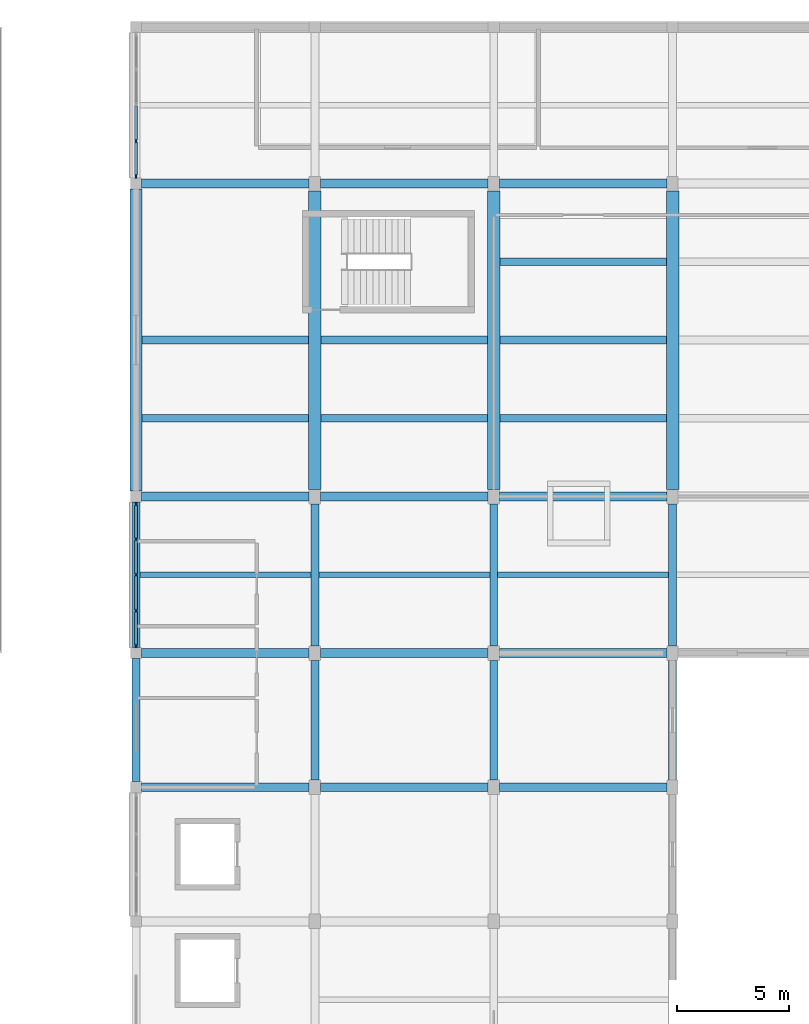
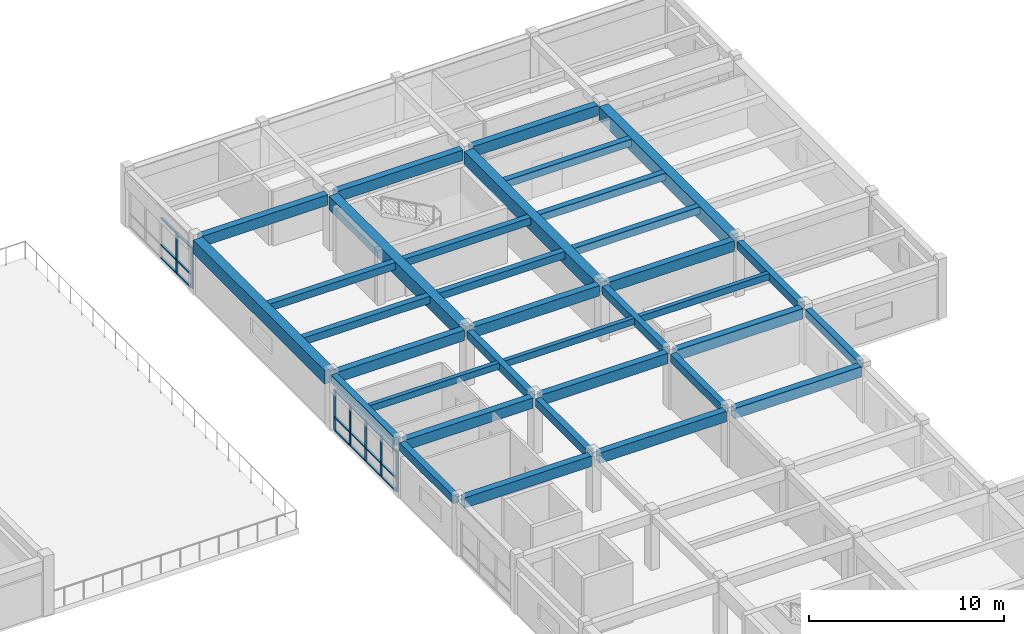
# One storey, part 5 of 22: 34 beams, 25 members, 2 elements without a shape of their own.
"""IFC4 building model written with IfcOpenShell, lengths in metres."""

from ifc_helpers import new_model, si_unit, direction, frame, origin, origin_2d, place, context, subcontext, project, spatial, rectangle, extrude, material, layer, layer_set, material_profile, profile_set, type_object, element, aggregate, save


model = new_model("IFC4")

# Units and contexts
model_context = context("Model", 3, precision=1e-05, world=origin(), true_north=direction((0.0, 1.0)))
body_context = subcontext(model_context, "Body", "Model", "MODEL_VIEW")
ifc_project = project(units=[si_unit("LENGTHUNIT", "METRE"), si_unit("AREAUNIT", "SQUARE_METRE"), si_unit("VOLUMEUNIT", "CUBIC_METRE"), si_unit("PLANEANGLEUNIT", "RADIAN"), si_unit("MASSUNIT", "GRAM", prefix="KILO")], contexts=[model_context])

# Site, building, storey
site_placement = place(None, origin())
site = spatial("IfcSite", under=ifc_project, at=site_placement, CompositionType="ELEMENT")
building_placement = place(site_placement, origin())
building = spatial("IfcBuilding", under=site, at=building_placement, Name="Naurynzar Civic Courthouse", CompositionType="ELEMENT")
storey_placement = place(building_placement, frame((0.0, 0.0, 25.800048828125)))
storey = spatial("IfcBuildingStorey", under=building, at=storey_placement, Name="L07", CompositionType="ELEMENT", Elevation=25.800048828125)

# Beams
ifc_material_1 = material(Name="Concrete C40/50", Category="concrete")
ifc_material_profile_1 = material_profile(ifc_material_1, rectangle(XDim=0.25, YDim=0.39990234375, at=origin_2d()), Name="RCB 250x400")
ifc_profile_set_1 = profile_set([ifc_material_profile_1], Name="Concrete C40/50")
beam_type_1 = type_object("IfcBeamType", Name="BM-JST-250x400", PredefinedType="JOIST", material=ifc_profile_set_1)
for number, where, z_axis, x_axis, name in (
    (1, (130.175048828125, 47.5, 3.27001953125), (1.0, 0.0, 0.0), (0.0, 1.0, 0.0), "V5 secondary rib 2887 L07"),
    (2, (138.175048828125, 47.5, 3.27001953125), (1.0, 0.0, 0.0), (0.0, 1.0, 0.0), "V5 secondary rib 2888 L07"),
    (3, (146.175048828125, 47.5, 3.27001953125), (1.0, 0.0, 0.0), (0.0, 1.0, 0.0), "V5 secondary rib 2889 L07"),
):
    element("IfcBeam", number, at=place(storey_placement, frame(where, z_axis=z_axis, x_axis=x_axis)), inside=storey, type_object=beam_type_1, Name=name, PredefinedType="JOIST", context=body_context, shape_type="SweptSolid", body=[
        extrude(rectangle(XDim=0.25, YDim=0.39990234375, at=origin_2d()), origin(), (0.0, 0.0, 1.0), 7.64990234375),
    ])
ifc_material_2 = material(Name="Concrete C40/50", Category="concrete")
ifc_material_profile_2 = material_profile(ifc_material_2, rectangle(XDim=0.550048828125, YDim=0.85009765625, at=origin_2d()), Name="PTB 550x850")
ifc_profile_set_2 = profile_set([ifc_material_profile_2], Name="Concrete C40/50")
beam_type_2 = type_object("IfcBeamType", Name="BM-PT-550x850", PredefinedType="T_BEAM", material=ifc_profile_set_2)
beam_1_placement = place(storey_placement, frame((130.0, 51.25, 3.044921875), z_axis=(0.0, 1.0, 0.0), x_axis=(-1.0, 0.0, 0.0)))
element("IfcBeam", 4, at=beam_1_placement, inside=storey, type_object=beam_type_2, Name="V5 girder Y-2856 L07", PredefinedType="T_BEAM", context=body_context, shape_type="SweptSolid", body=[
    extrude(rectangle(XDim=0.550048828125, YDim=0.85009765625, at=origin_2d()), origin(), (0.0, 0.0, 1.0), 13.5),
])
for number, where, z_axis, x_axis, name in (
    (5, (138.0, 51.324951171875, 3.044921875), (0.0, 1.0, 0.0), (-1.0, 0.0, 0.0), "V5 girder Y-2863 L07"),
    (6, (146.0, 51.324951171875, 3.044921875), (0.0, 1.0, 0.0), (-1.0, 0.0, 0.0), "V5 girder Y-2870 L07"),
    (7, (154.0, 51.324951171875, 3.044921875), (0.0, 1.0, 0.0), (-1.0, 0.0, 0.0), "V5 girder Y-2877 L07"),
):
    element("IfcBeam", number, at=place(storey_placement, frame(where, z_axis=z_axis, x_axis=x_axis)), inside=storey, type_object=beam_type_2, Name=name, PredefinedType="T_BEAM", context=body_context, shape_type="SweptSolid", body=[
        extrude(rectangle(XDim=0.550048828125, YDim=0.85009765625, at=origin_2d()), origin(), (0.0, 0.0, 1.0), 13.35009765625),
    ])
ifc_material_3 = material(Name="Concrete C40/50", Category="concrete")
ifc_material_profile_3 = material_profile(ifc_material_3, rectangle(XDim=0.35009765625, YDim=0.449951171875, at=origin_2d()), Name="RCB 350x450")
ifc_profile_set_3 = profile_set([ifc_material_profile_3], Name="Concrete C40/50")
beam_type_3 = type_object("IfcBeamType", Name="BM-RC-350x450", PredefinedType="BEAM", material=ifc_profile_set_3)
for number, where, z_axis, x_axis, name in (
    (8, (130.27490234375, 54.5, 3.244873046875), (1.0, 0.0, 0.0), (0.0, 1.0, 0.0), "V5 secondary rib 2891 L07"),
    (9, (130.27490234375, 58.0, 3.244873046875), (1.0, 0.0, 0.0), (0.0, 1.0, 0.0), "V5 secondary rib 2892 L07"),
    (10, (138.27490234375, 54.5, 3.244873046875), (1.0, 0.0, 0.0), (0.0, 1.0, 0.0), "V5 secondary rib 2893 L07"),
    (11, (138.27490234375, 58.0, 3.244873046875), (1.0, 0.0, 0.0), (0.0, 1.0, 0.0), "V5 secondary rib 2894 L07"),
    (12, (146.27490234375, 54.5, 3.244873046875), (1.0, 0.0, 0.0), (0.0, 1.0, 0.0), "V5 secondary rib 2895 L07"),
    (13, (146.27490234375, 58.0, 3.244873046875), (1.0, 0.0, 0.0), (0.0, 1.0, 0.0), "V5 secondary rib 2896 L07"),
    (14, (146.27490234375, 61.5, 3.244873046875), (1.0, 0.0, 0.0), (0.0, 1.0, 0.0), "V5 secondary rib 2897 L07"),
):
    element("IfcBeam", number, at=place(storey_placement, frame(where, z_axis=z_axis, x_axis=x_axis)), inside=storey, type_object=beam_type_3, Name=name, PredefinedType="BEAM", context=body_context, shape_type="SweptSolid", body=[
        extrude(rectangle(XDim=0.35009765625, YDim=0.449951171875, at=origin_2d()), origin(), (0.0, 0.0, 1.0), 7.4501953125),
    ])
ifc_material_4 = material(Name="Concrete C40/50", Category="concrete")
ifc_material_profile_4 = material_profile(ifc_material_4, rectangle(XDim=0.35009765625, YDim=0.5, at=origin_2d()), Name="RCB 350x500")
ifc_profile_set_4 = profile_set([ifc_material_profile_4], Name="Concrete C40/50")
beam_type_4 = type_object("IfcBeamType", Name="BM-RC-350x500", PredefinedType="BEAM", material=ifc_profile_set_4)
beam_2_placement = place(storey_placement, frame((130.0, 38.25, 3.219970703125), z_axis=(0.0, 1.0, 0.0), x_axis=(-1.0, 0.0, 0.0)))
element("IfcBeam", 15, at=beam_2_placement, inside=storey, type_object=beam_type_4, Name="V5 girder Y-2854 L07", PredefinedType="BEAM", context=body_context, shape_type="SweptSolid", body=[
    extrude(rectangle(XDim=0.35009765625, YDim=0.5, at=origin_2d()), origin(), (0.0, 0.0, 1.0), 5.5),
])
beam_3_placement = place(storey_placement, frame((130.0, 44.25, 3.219970703125), z_axis=(0.0, 1.0, 0.0), x_axis=(-1.0, 0.0, 0.0)))
element("IfcBeam", 16, at=beam_3_placement, inside=storey, type_object=beam_type_4, Name="V5 girder Y-2855 L07", PredefinedType="BEAM", context=body_context, shape_type="SweptSolid", body=[
    extrude(rectangle(XDim=0.35009765625, YDim=0.5, at=origin_2d()), origin(), (0.0, 0.0, 1.0), 6.5),
])
beam_4_placement = place(storey_placement, frame((138.0, 38.324951171875, 3.219970703125), z_axis=(0.0, 1.0, 0.0), x_axis=(-1.0, 0.0, 0.0)))
element("IfcBeam", 17, at=beam_4_placement, inside=storey, type_object=beam_type_4, Name="V5 girder Y-2861 L07", PredefinedType="BEAM", context=body_context, shape_type="SweptSolid", body=[
    extrude(rectangle(XDim=0.35009765625, YDim=0.5, at=origin_2d()), origin(), (0.0, 0.0, 1.0), 5.35009765625),
])
beam_5_placement = place(storey_placement, frame((138.0, 44.324951171875, 3.219970703125), z_axis=(0.0, 1.0, 0.0), x_axis=(-1.0, 0.0, 0.0)))
element("IfcBeam", 18, at=beam_5_placement, inside=storey, type_object=beam_type_4, Name="V5 girder Y-2862 L07", PredefinedType="BEAM", context=body_context, shape_type="SweptSolid", body=[
    extrude(rectangle(XDim=0.35009765625, YDim=0.5, at=origin_2d()), origin(), (0.0, 0.0, 1.0), 6.35009765625),
])
beam_6_placement = place(storey_placement, frame((146.0, 38.324951171875, 3.219970703125), z_axis=(0.0, 1.0, 0.0), x_axis=(-1.0, 0.0, 0.0)))
element("IfcBeam", 19, at=beam_6_placement, inside=storey, type_object=beam_type_4, Name="V5 girder Y-2868 L07", PredefinedType="BEAM", context=body_context, shape_type="SweptSolid", body=[
    extrude(rectangle(XDim=0.35009765625, YDim=0.5, at=origin_2d()), origin(), (0.0, 0.0, 1.0), 5.35009765625),
])
beam_7_placement = place(storey_placement, frame((146.0, 44.324951171875, 3.219970703125), z_axis=(0.0, 1.0, 0.0), x_axis=(-1.0, 0.0, 0.0)))
element("IfcBeam", 20, at=beam_7_placement, inside=storey, type_object=beam_type_4, Name="V5 girder Y-2869 L07", PredefinedType="BEAM", context=body_context, shape_type="SweptSolid", body=[
    extrude(rectangle(XDim=0.35009765625, YDim=0.5, at=origin_2d()), origin(), (0.0, 0.0, 1.0), 6.35009765625),
])
beam_8_placement = place(storey_placement, frame((154.0, 38.324951171875, 3.219970703125), z_axis=(0.0, 1.0, 0.0), x_axis=(-1.0, 0.0, 0.0)))
element("IfcBeam", 21, at=beam_8_placement, inside=storey, type_object=beam_type_4, Name="V5 girder Y-2875 L07", PredefinedType="BEAM", context=body_context, shape_type="SweptSolid", body=[
    extrude(rectangle(XDim=0.35009765625, YDim=0.5, at=origin_2d()), origin(), (0.0, 0.0, 1.0), 5.35009765625),
])
beam_9_placement = place(storey_placement, frame((154.0, 44.324951171875, 3.219970703125), z_axis=(0.0, 1.0, 0.0), x_axis=(-1.0, 0.0, 0.0)))
element("IfcBeam", 22, at=beam_9_placement, inside=storey, type_object=beam_type_4, Name="V5 girder Y-2876 L07", PredefinedType="BEAM", context=body_context, shape_type="SweptSolid", body=[
    extrude(rectangle(XDim=0.35009765625, YDim=0.5, at=origin_2d()), origin(), (0.0, 0.0, 1.0), 6.35009765625),
])
ifc_material_5 = material(Name="Concrete C40/50", Category="concrete")
ifc_material_profile_5 = material_profile(ifc_material_5, rectangle(XDim=0.39990234375, YDim=0.64990234375, at=origin_2d()), Name="RCB 400x650")
ifc_profile_set_5 = profile_set([ifc_material_profile_5], Name="Concrete C40/50")
beam_type_5 = type_object("IfcBeamType", Name="BM-RC-400x650", PredefinedType="BEAM", material=ifc_profile_set_5)
for number, where, z_axis, x_axis, name in (
    (23, (130.25, 38.0, 3.14501953125), (1.0, 0.0, 0.0), (0.0, 1.0, 0.0), "V5 beam X-2832 L07"),
    (24, (138.25, 38.0, 3.14501953125), (1.0, 0.0, 0.0), (0.0, 1.0, 0.0), "V5 beam X-2833 L07"),
    (25, (146.25, 38.0, 3.14501953125), (1.0, 0.0, 0.0), (0.0, 1.0, 0.0), "V5 beam X-2834 L07"),
    (26, (130.25, 44.0, 3.14501953125), (1.0, 0.0, 0.0), (0.0, 1.0, 0.0), "V5 beam X-2835 L07"),
    (27, (138.25, 44.0, 3.14501953125), (1.0, 0.0, 0.0), (0.0, 1.0, 0.0), "V5 beam X-2836 L07"),
    (28, (146.25, 44.0, 3.14501953125), (1.0, 0.0, 0.0), (0.0, 1.0, 0.0), "V5 beam X-2837 L07"),
    (29, (130.25, 51.0, 3.14501953125), (1.0, 0.0, 0.0), (0.0, 1.0, 0.0), "V5 beam X-2839 L07"),
    (30, (138.25, 51.0, 3.14501953125), (1.0, 0.0, 0.0), (0.0, 1.0, 0.0), "V5 beam X-2840 L07"),
    (31, (146.25, 51.0, 3.14501953125), (1.0, 0.0, 0.0), (0.0, 1.0, 0.0), "V5 beam X-2841 L07"),
    (32, (130.25, 65.0, 3.14501953125), (1.0, 0.0, 0.0), (0.0, 1.0, 0.0), "V5 beam X-2843 L07"),
    (33, (138.25, 65.0, 3.14501953125), (1.0, 0.0, 0.0), (0.0, 1.0, 0.0), "V5 beam X-2844 L07"),
    (34, (146.25, 65.0, 3.14501953125), (1.0, 0.0, 0.0), (0.0, 1.0, 0.0), "V5 beam X-2845 L07"),
):
    element("IfcBeam", number, at=place(storey_placement, frame(where, z_axis=z_axis, x_axis=x_axis)), inside=storey, type_object=beam_type_5, Name=name, PredefinedType="BEAM", context=body_context, shape_type="SweptSolid", body=[
        extrude(rectangle(XDim=0.39990234375, YDim=0.64990234375, at=origin_2d()), origin(), (0.0, 0.0, 1.0), 7.5),
    ])

# Curtain wall, members
ifc_material_6 = material(Name="Aluminium 6063-T6", Category="aluminium")
ifc_layer = layer(ifc_material_6, 0.159912109375)
ifc_layer_set = layer_set([ifc_layer], Name="CW-UNIT-1800")
curtain_wall_type = type_object("IfcCurtainWallType", Name="CW-UNIT-1800", PredefinedType="NOTDEFINED", material=ifc_layer_set)
curtain_wall_1_placement = place(storey_placement, origin())
curtain_wall_1 = element("IfcCurtainWall", 35, at=curtain_wall_1_placement, inside=storey, type_object=curtain_wall_type, Name="V5 unitised curtain wall 114 L07", PredefinedType="NOTDEFINED")
ifc_material_7 = material(Name="Aluminium 6063-T6", Category="aluminium")
ifc_material_profile_6 = material_profile(ifc_material_7, rectangle(XDim=0.070068359375, YDim=0.179931640625, at=origin_2d()), Name="ALU MULLION 70x180")
ifc_profile_set_6 = profile_set([ifc_material_profile_6], Name="Aluminium 6063-T6")
member_type_1 = type_object("IfcMemberType", Name="CWM-70x180", PredefinedType="MULLION", material=ifc_profile_set_6)
member_1_placement = place(storey_placement, frame((130.0, 44.3349609375, 0.0), z_axis=(0.0, 0.0, 1.0), x_axis=(-1.0, 0.0, 0.0)))
member_1 = element("IfcMember", 36, at=member_1_placement, type_object=member_type_1, Name="CW-02 mullion 1", PredefinedType="MULLION", context=body_context, shape_type="SweptSolid", body=[
    extrude(rectangle(XDim=0.070068359375, YDim=0.179931640625, at=origin_2d()), origin(), (0.0, 0.0, 1.0), 2.550048828125),
])
member_2_placement = place(storey_placement, frame((130.0, 45.89990234375, 0.0), z_axis=(0.0, 0.0, 1.0), x_axis=(-1.0, 0.0, 0.0)))
member_2 = element("IfcMember", 37, at=member_2_placement, type_object=member_type_1, Name="CW-02 mullion 2", PredefinedType="MULLION", context=body_context, shape_type="SweptSolid", body=[
    extrude(rectangle(XDim=0.070068359375, YDim=0.179931640625, at=origin_2d()), origin(), (0.0, 0.0, 1.0), 2.550048828125),
])
member_3_placement = place(storey_placement, frame((130.0, 47.5, 0.0), z_axis=(0.0, 0.0, 1.0), x_axis=(-1.0, 0.0, 0.0)))
member_3 = element("IfcMember", 38, at=member_3_placement, type_object=member_type_1, Name="CW-02 mullion 3", PredefinedType="MULLION", context=body_context, shape_type="SweptSolid", body=[
    extrude(rectangle(XDim=0.070068359375, YDim=0.179931640625, at=origin_2d()), origin(), (0.0, 0.0, 1.0), 2.550048828125),
])
member_4_placement = place(storey_placement, frame((130.0, 49.10009765625, 0.0), z_axis=(0.0, 0.0, 1.0), x_axis=(-1.0, 0.0, 0.0)))
member_4 = element("IfcMember", 39, at=member_4_placement, type_object=member_type_1, Name="CW-02 mullion 4", PredefinedType="MULLION", context=body_context, shape_type="SweptSolid", body=[
    extrude(rectangle(XDim=0.070068359375, YDim=0.179931640625, at=origin_2d()), origin(), (0.0, 0.0, 1.0), 2.550048828125),
])
member_5_placement = place(storey_placement, frame((130.0, 50.6650390625, 0.0), z_axis=(0.0, 0.0, 1.0), x_axis=(-1.0, 0.0, 0.0)))
member_5 = element("IfcMember", 40, at=member_5_placement, type_object=member_type_1, Name="CW-02 mullion 5", PredefinedType="MULLION", context=body_context, shape_type="SweptSolid", body=[
    extrude(rectangle(XDim=0.070068359375, YDim=0.179931640625, at=origin_2d()), origin(), (0.0, 0.0, 1.0), 2.550048828125),
])

curtain_wall_2_placement = place(storey_placement, origin())
curtain_wall_2 = element("IfcCurtainWall", 41, at=curtain_wall_2_placement, inside=storey, type_object=curtain_wall_type, Name="V5 unitised curtain wall 115 L07", PredefinedType="NOTDEFINED")
member_6_placement = place(storey_placement, frame((130.0, 65.3349609375, 0.0), z_axis=(0.0, 0.0, 1.0), x_axis=(-1.0, 0.0, 0.0)))
member_6 = element("IfcMember", 42, at=member_6_placement, type_object=member_type_1, Name="CW-02 mullion 1", PredefinedType="MULLION", context=body_context, shape_type="SweptSolid", body=[
    extrude(rectangle(XDim=0.070068359375, YDim=0.179931640625, at=origin_2d()), origin(), (0.0, 0.0, 1.0), 2.550048828125),
])
member_7_placement = place(storey_placement, frame((130.0, 66.89990234375, 0.0), z_axis=(0.0, 0.0, 1.0), x_axis=(-1.0, 0.0, 0.0)))
member_7 = element("IfcMember", 43, at=member_7_placement, type_object=member_type_1, Name="CW-02 mullion 2", PredefinedType="MULLION", context=body_context, shape_type="SweptSolid", body=[
    extrude(rectangle(XDim=0.070068359375, YDim=0.179931640625, at=origin_2d()), origin(), (0.0, 0.0, 1.0), 2.550048828125),
])

# Member
ifc_material_8 = material(Name="Aluminium 6063-T6", Category="aluminium")
ifc_material_profile_7 = material_profile(ifc_material_8, rectangle(XDim=0.1298828125, YDim=0.070068359375, at=origin_2d()), Name="ALU TRANSOM 70x130")
ifc_profile_set_7 = profile_set([ifc_material_profile_7], Name="Aluminium 6063-T6")
member_type_2 = type_object("IfcMemberType", Name="CWT-70x130", PredefinedType="USERDEFINED", material=ifc_profile_set_7)
member_8_placement = place(storey_placement, frame((130.0, 44.3701171875, 0.034912109375), z_axis=(0.0, 1.0, 0.0), x_axis=(-1.0, 0.0, 0.0)))
member_8 = element("IfcMember", 44, at=member_8_placement, type_object=member_type_2, Name="CW-02 transom 1.1", ObjectType="TRANSOM", PredefinedType="USERDEFINED", context=body_context, shape_type="SweptSolid", body=[
    extrude(rectangle(XDim=0.1298828125, YDim=0.070068359375, at=origin_2d()), origin(), (0.0, 0.0, 1.0), 1.494873046875),
])

member_9_placement = place(storey_placement, frame((130.0, 44.3701171875, 0.849853515625), z_axis=(0.0, 1.0, 0.0), x_axis=(-1.0, 0.0, 0.0)))
member_9 = element("IfcMember", 45, at=member_9_placement, type_object=member_type_2, Name="CW-02 transom 1.2", ObjectType="TRANSOM", PredefinedType="USERDEFINED", context=body_context, shape_type="SweptSolid", body=[
    extrude(rectangle(XDim=0.1298828125, YDim=0.070068359375, at=origin_2d()), origin(), (0.0, 0.0, 1.0), 1.494873046875),
])

member_10_placement = place(storey_placement, frame((130.0, 44.3701171875, 2.514892578125), z_axis=(0.0, 1.0, 0.0), x_axis=(-1.0, 0.0, 0.0)))
member_10 = element("IfcMember", 46, at=member_10_placement, type_object=member_type_2, Name="CW-02 transom 1.3", ObjectType="TRANSOM", PredefinedType="USERDEFINED", context=body_context, shape_type="SweptSolid", body=[
    extrude(rectangle(XDim=0.1298828125, YDim=0.070068359375, at=origin_2d()), origin(), (0.0, 0.0, 1.0), 1.494873046875),
])

member_11_placement = place(storey_placement, frame((130.0, 45.93505859375, 0.034912109375), z_axis=(0.0, 1.0, 0.0), x_axis=(-1.0, 0.0, 0.0)))
member_11 = element("IfcMember", 47, at=member_11_placement, type_object=member_type_2, Name="CW-02 transom 2.1", ObjectType="TRANSOM", PredefinedType="USERDEFINED", context=body_context, shape_type="SweptSolid", body=[
    extrude(rectangle(XDim=0.1298828125, YDim=0.070068359375, at=origin_2d()), origin(), (0.0, 0.0, 1.0), 1.530029296875),
])

member_12_placement = place(storey_placement, frame((130.0, 45.93505859375, 0.849853515625), z_axis=(0.0, 1.0, 0.0), x_axis=(-1.0, 0.0, 0.0)))
member_12 = element("IfcMember", 48, at=member_12_placement, type_object=member_type_2, Name="CW-02 transom 2.2", ObjectType="TRANSOM", PredefinedType="USERDEFINED", context=body_context, shape_type="SweptSolid", body=[
    extrude(rectangle(XDim=0.1298828125, YDim=0.070068359375, at=origin_2d()), origin(), (0.0, 0.0, 1.0), 1.530029296875),
])

member_13_placement = place(storey_placement, frame((130.0, 45.93505859375, 2.514892578125), z_axis=(0.0, 1.0, 0.0), x_axis=(-1.0, 0.0, 0.0)))
member_13 = element("IfcMember", 49, at=member_13_placement, type_object=member_type_2, Name="CW-02 transom 2.3", ObjectType="TRANSOM", PredefinedType="USERDEFINED", context=body_context, shape_type="SweptSolid", body=[
    extrude(rectangle(XDim=0.1298828125, YDim=0.070068359375, at=origin_2d()), origin(), (0.0, 0.0, 1.0), 1.530029296875),
])

member_14_placement = place(storey_placement, frame((130.0, 47.534912109375, 0.034912109375), z_axis=(0.0, 1.0, 0.0), x_axis=(-1.0, 0.0, 0.0)))
member_14 = element("IfcMember", 50, at=member_14_placement, type_object=member_type_2, Name="CW-02 transom 3.1", ObjectType="TRANSOM", PredefinedType="USERDEFINED", context=body_context, shape_type="SweptSolid", body=[
    extrude(rectangle(XDim=0.1298828125, YDim=0.070068359375, at=origin_2d()), origin(), (0.0, 0.0, 1.0), 1.530029296875),
])

member_15_placement = place(storey_placement, frame((130.0, 47.534912109375, 0.849853515625), z_axis=(0.0, 1.0, 0.0), x_axis=(-1.0, 0.0, 0.0)))
member_15 = element("IfcMember", 51, at=member_15_placement, type_object=member_type_2, Name="CW-02 transom 3.2", ObjectType="TRANSOM", PredefinedType="USERDEFINED", context=body_context, shape_type="SweptSolid", body=[
    extrude(rectangle(XDim=0.1298828125, YDim=0.070068359375, at=origin_2d()), origin(), (0.0, 0.0, 1.0), 1.530029296875),
])

member_16_placement = place(storey_placement, frame((130.0, 47.534912109375, 2.514892578125), z_axis=(0.0, 1.0, 0.0), x_axis=(-1.0, 0.0, 0.0)))
member_16 = element("IfcMember", 52, at=member_16_placement, type_object=member_type_2, Name="CW-02 transom 3.3", ObjectType="TRANSOM", PredefinedType="USERDEFINED", context=body_context, shape_type="SweptSolid", body=[
    extrude(rectangle(XDim=0.1298828125, YDim=0.070068359375, at=origin_2d()), origin(), (0.0, 0.0, 1.0), 1.530029296875),
])

member_17_placement = place(storey_placement, frame((130.0, 49.135009765625, 0.034912109375), z_axis=(0.0, 1.0, 0.0), x_axis=(-1.0, 0.0, 0.0)))
member_17 = element("IfcMember", 53, at=member_17_placement, type_object=member_type_2, Name="CW-02 transom 4.1", ObjectType="TRANSOM", PredefinedType="USERDEFINED", context=body_context, shape_type="SweptSolid", body=[
    extrude(rectangle(XDim=0.1298828125, YDim=0.070068359375, at=origin_2d()), origin(), (0.0, 0.0, 1.0), 1.494873046875),
])

member_18_placement = place(storey_placement, frame((130.0, 49.135009765625, 0.849853515625), z_axis=(0.0, 1.0, 0.0), x_axis=(-1.0, 0.0, 0.0)))
member_18 = element("IfcMember", 54, at=member_18_placement, type_object=member_type_2, Name="CW-02 transom 4.2", ObjectType="TRANSOM", PredefinedType="USERDEFINED", context=body_context, shape_type="SweptSolid", body=[
    extrude(rectangle(XDim=0.1298828125, YDim=0.070068359375, at=origin_2d()), origin(), (0.0, 0.0, 1.0), 1.494873046875),
])

member_19_placement = place(storey_placement, frame((130.0, 49.135009765625, 2.514892578125), z_axis=(0.0, 1.0, 0.0), x_axis=(-1.0, 0.0, 0.0)))
member_19 = element("IfcMember", 55, at=member_19_placement, type_object=member_type_2, Name="CW-02 transom 4.3", ObjectType="TRANSOM", PredefinedType="USERDEFINED", context=body_context, shape_type="SweptSolid", body=[
    extrude(rectangle(XDim=0.1298828125, YDim=0.070068359375, at=origin_2d()), origin(), (0.0, 0.0, 1.0), 1.494873046875),
])

aggregate(curtain_wall_1, [member_1, member_2, member_3, member_4, member_5, member_8, member_9, member_10, member_11, member_12, member_13, member_14, member_15, member_16, member_17, member_18, member_19])

member_20_placement = place(storey_placement, frame((130.0, 65.3701171875, 0.034912109375), z_axis=(0.0, 1.0, 0.0), x_axis=(-1.0, 0.0, 0.0)))
member_20 = element("IfcMember", 56, at=member_20_placement, type_object=member_type_2, Name="CW-02 transom 1.1", ObjectType="TRANSOM", PredefinedType="USERDEFINED", context=body_context, shape_type="SweptSolid", body=[
    extrude(rectangle(XDim=0.1298828125, YDim=0.070068359375, at=origin_2d()), origin(), (0.0, 0.0, 1.0), 1.494873046875),
])

member_21_placement = place(storey_placement, frame((130.0, 65.3701171875, 0.849853515625), z_axis=(0.0, 1.0, 0.0), x_axis=(-1.0, 0.0, 0.0)))
member_21 = element("IfcMember", 57, at=member_21_placement, type_object=member_type_2, Name="CW-02 transom 1.2", ObjectType="TRANSOM", PredefinedType="USERDEFINED", context=body_context, shape_type="SweptSolid", body=[
    extrude(rectangle(XDim=0.1298828125, YDim=0.070068359375, at=origin_2d()), origin(), (0.0, 0.0, 1.0), 1.494873046875),
])

member_22_placement = place(storey_placement, frame((130.0, 65.3701171875, 2.514892578125), z_axis=(0.0, 1.0, 0.0), x_axis=(-1.0, 0.0, 0.0)))
member_22 = element("IfcMember", 58, at=member_22_placement, type_object=member_type_2, Name="CW-02 transom 1.3", ObjectType="TRANSOM", PredefinedType="USERDEFINED", context=body_context, shape_type="SweptSolid", body=[
    extrude(rectangle(XDim=0.1298828125, YDim=0.070068359375, at=origin_2d()), origin(), (0.0, 0.0, 1.0), 1.494873046875),
])

member_23_placement = place(storey_placement, frame((130.0, 66.93505859375, 0.034912109375), z_axis=(0.0, 1.0, 0.0), x_axis=(-1.0, 0.0, 0.0)))
member_23 = element("IfcMember", 59, at=member_23_placement, type_object=member_type_2, Name="CW-02 transom 2.1", ObjectType="TRANSOM", PredefinedType="USERDEFINED", context=body_context, shape_type="SweptSolid", body=[
    extrude(rectangle(XDim=0.1298828125, YDim=0.070068359375, at=origin_2d()), origin(), (0.0, 0.0, 1.0), 1.530029296875),
])

member_24_placement = place(storey_placement, frame((130.0, 66.93505859375, 0.849853515625), z_axis=(0.0, 1.0, 0.0), x_axis=(-1.0, 0.0, 0.0)))
member_24 = element("IfcMember", 60, at=member_24_placement, type_object=member_type_2, Name="CW-02 transom 2.2", ObjectType="TRANSOM", PredefinedType="USERDEFINED", context=body_context, shape_type="SweptSolid", body=[
    extrude(rectangle(XDim=0.1298828125, YDim=0.070068359375, at=origin_2d()), origin(), (0.0, 0.0, 1.0), 1.530029296875),
])

member_25_placement = place(storey_placement, frame((130.0, 66.93505859375, 2.514892578125), z_axis=(0.0, 1.0, 0.0), x_axis=(-1.0, 0.0, 0.0)))
member_25 = element("IfcMember", 61, at=member_25_placement, type_object=member_type_2, Name="CW-02 transom 2.3", ObjectType="TRANSOM", PredefinedType="USERDEFINED", context=body_context, shape_type="SweptSolid", body=[
    extrude(rectangle(XDim=0.1298828125, YDim=0.070068359375, at=origin_2d()), origin(), (0.0, 0.0, 1.0), 1.530029296875),
])

aggregate(curtain_wall_2, [member_6, member_7, member_20, member_21, member_22, member_23, member_24, member_25])

save(model, "model.ifc")
